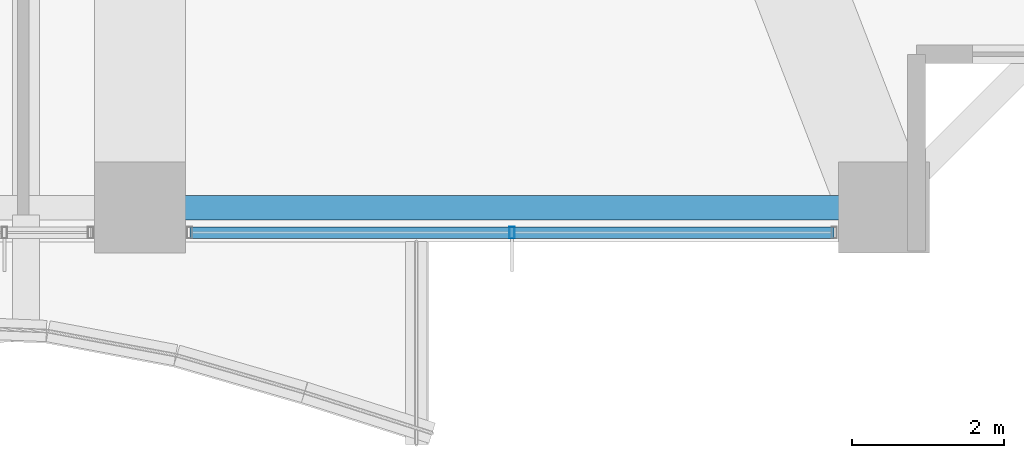
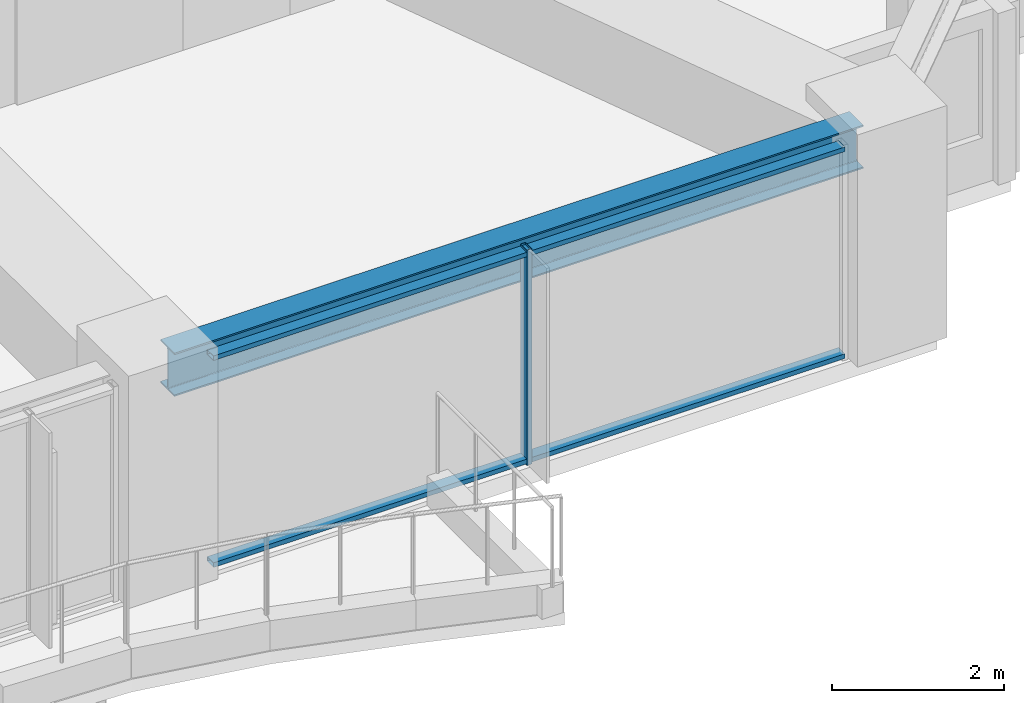
# One storey, part 6 of 37: 3 members, 1 beam, 1 element without a shape of its own.
"""IFC4 building model written with IfcOpenShell, lengths in metres."""

from ifc_helpers import new_model, si_unit, direction, frame, origin, origin_2d, place, context, subcontext, project, spatial, hollow_rectangle, i_section, extrude, material, material_profile, profile_set, type_object, element, aggregate, save


model = new_model("IFC4")

# Units and contexts
model_context = context("Model", 3, precision=1e-05, world=origin(), true_north=direction((0.0, 1.0)))
body_context = subcontext(model_context, "Body", "Model", "MODEL_VIEW")
ifc_project = project(units=[si_unit("LENGTHUNIT", "METRE"), si_unit("AREAUNIT", "SQUARE_METRE"), si_unit("VOLUMEUNIT", "CUBIC_METRE"), si_unit("PLANEANGLEUNIT", "RADIAN"), si_unit("MASSUNIT", "GRAM", prefix="KILO")], contexts=[model_context])

# Site, building, storey
site_placement = place(None, origin())
site = spatial("IfcSite", under=ifc_project, at=site_placement, CompositionType="ELEMENT")
building_placement = place(site_placement, origin())
building = spatial("IfcBuilding", under=site, at=building_placement, Name="Kolvaren Belvedere", CompositionType="ELEMENT")
storey_placement = place(building_placement, frame((0.0, 0.0, 37.0)))
storey = spatial("IfcBuildingStorey", under=building, at=storey_placement, Name="L10", CompositionType="ELEMENT", Elevation=37.0)

# Beam
ifc_material_1 = material(Name="Structural steel ASTM A992 Grade 50", Category="steel")
ifc_material_profile_1 = material_profile(ifc_material_1, i_section(OverallWidth=0.324951171875, OverallDepth=0.615966796875, WebThickness=0.013916015625, FlangeThickness=0.021484375, FilletRadius=0.02001953125, at=origin_2d()), Name="W24X117")
ifc_profile_set_1 = profile_set([ifc_material_profile_1], Name="Structural steel ASTM A992 Grade 50")
beam_type = type_object("IfcBeamType", Name="BM-SPAN-W24X117", PredefinedType="SPANDREL", material=ifc_profile_set_1)
beam_placement = place(storey_placement, frame((4.8701171875, -21.550048828125, 2.751953125), z_axis=(1.0, 0.0, 0.0), x_axis=(0.0, 1.0, 0.0)))
element("IfcBeam", 1, at=beam_placement, inside=storey, type_object=beam_type, Name="L10 Perimeter Spandrel S3-S4", PredefinedType="SPANDREL", context=body_context, shape_type="SweptSolid", body=[
    extrude(i_section(OverallWidth=0.324951171875, OverallDepth=0.615966796875, WebThickness=0.013916015625, FlangeThickness=0.021484375, FilletRadius=0.02001953125, at=origin_2d()), origin(), (0.0, 0.0, 1.0), 9.259765625),
])

# Curtain wall, members
ifc_material_2 = material(Name="Anodised pale-metal aluminium AA 6063-T6", Category="aluminium")
curtain_wall_type = type_object("IfcCurtainWallType", Name="CW-Z1-LOW", PredefinedType="NOTDEFINED", material=ifc_material_2)
curtain_wall_placement = place(storey_placement, origin())
curtain_wall = element("IfcCurtainWall", 2, at=curtain_wall_placement, inside=storey, type_object=curtain_wall_type, Name="L10 Unitised Curtain Wall FCW-L10-S1-B1", PredefinedType="NOTDEFINED")
ifc_material_3 = material(Name="Anodised pale-metal aluminium AA 6063-T6", Category="aluminium")
ifc_material_profile_2 = material_profile(ifc_material_3, hollow_rectangle(XDim=0.070068359375, YDim=0.14990234375, WallThickness=0.004150390625, at=origin_2d()), Name="ALU-MUL-150X70")
ifc_profile_set_2 = profile_set([ifc_material_profile_2], Name="Anodised pale-metal aluminium AA 6063-T6")
member_type_1 = type_object("IfcMemberType", Name="CW-MUL-150", PredefinedType="MULLION", material=ifc_profile_set_2)
member_1_placement = place(storey_placement, frame((9.5, -21.8798828125, 0.0), z_axis=(0.0, 0.0, 1.0), x_axis=(1.0, 0.0, 0.0)))
member_1 = element("IfcMember", 3, at=member_1_placement, type_object=member_type_1, Name="FCW-L10-S1-B1 Unitised Mullion 2", PredefinedType="MULLION", context=body_context, shape_type="SweptSolid", body=[
    extrude(hollow_rectangle(XDim=0.070068359375, YDim=0.14990234375, WallThickness=0.004150390625, at=origin_2d()), origin(), (0.0, 0.0, 1.0), 3.06005859375),
])
ifc_material_4 = material(Name="Anodised pale-metal aluminium AA 6063-T6", Category="aluminium")
ifc_material_profile_3 = material_profile(ifc_material_4, hollow_rectangle(XDim=0.06494140625, YDim=0.14990234375, WallThickness=0.00390625, at=origin_2d()), Name="ALU-TRN-150X65")
ifc_profile_set_3 = profile_set([ifc_material_profile_3], Name="Anodised pale-metal aluminium AA 6063-T6")
member_type_2 = type_object("IfcMemberType", Name="CW-TRN-150", PredefinedType="USERDEFINED", material=ifc_profile_set_3)
member_2_placement = place(storey_placement, frame((13.7451171875, -21.8798828125, 0.06005859375), z_axis=(-1.0, 0.0, 0.0), x_axis=(0.0, 0.0, 1.0)))
member_2 = element("IfcMember", 4, at=member_2_placement, type_object=member_type_2, Name="FCW-L10-S1-B1 Sill Transom", ObjectType="TRANSOM", PredefinedType="USERDEFINED", context=body_context, shape_type="SweptSolid", body=[
    extrude(hollow_rectangle(XDim=0.06494140625, YDim=0.14990234375, WallThickness=0.00390625, at=origin_2d()), origin(), (0.0, 0.0, 1.0), 8.490234375),
])
member_3_placement = place(storey_placement, frame((13.7451171875, -21.8798828125, 3.0), z_axis=(-1.0, 0.0, 0.0), x_axis=(0.0, 0.0, 1.0)))
member_3 = element("IfcMember", 5, at=member_3_placement, type_object=member_type_2, Name="FCW-L10-S1-B1 Head Transom", ObjectType="TRANSOM", PredefinedType="USERDEFINED", context=body_context, shape_type="SweptSolid", body=[
    extrude(hollow_rectangle(XDim=0.06494140625, YDim=0.14990234375, WallThickness=0.00390625, at=origin_2d()), origin(), (0.0, 0.0, 1.0), 8.490234375),
])
aggregate(curtain_wall, [member_1, member_2, member_3])

save(model, "model.ifc")
